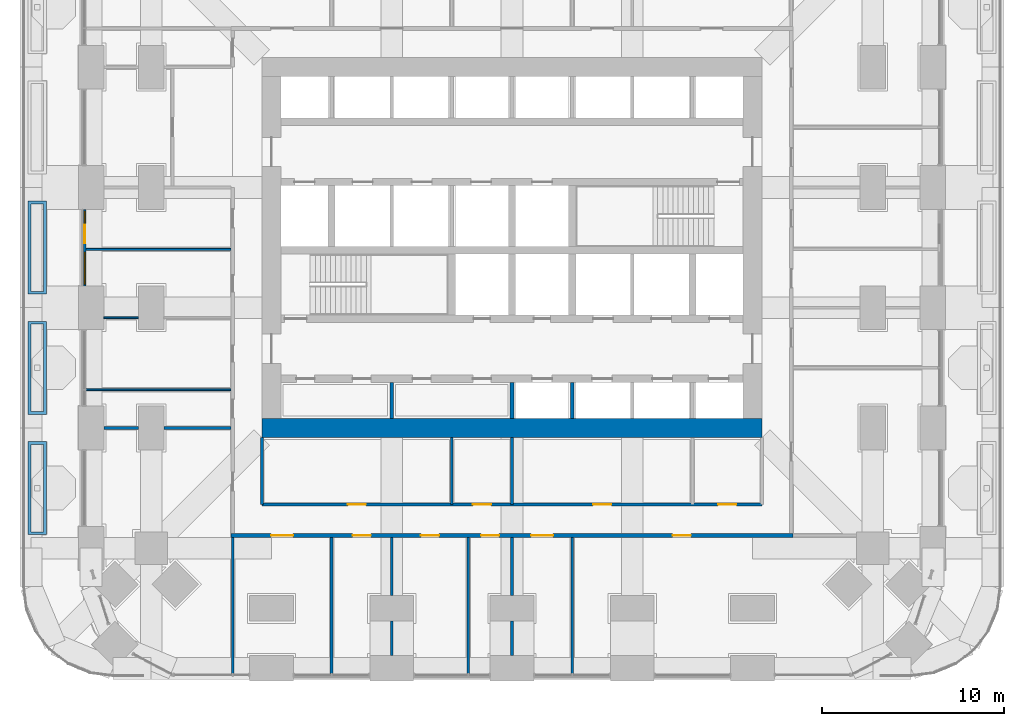
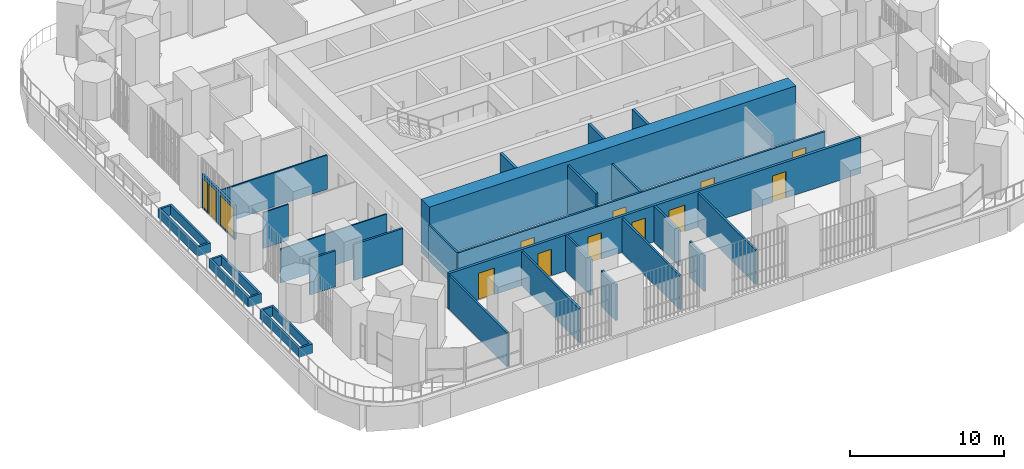
# One storey, part 17 of 27: 26 walls, 11 doors, 2 windows, 13 openings.
"""IFC4 building model written with IfcOpenShell, lengths in metres."""

import ifcopenshell
import ifcopenshell.guid

model = None  # the IFC model being written
_history = None  # IfcOwnerHistory: only IFC2X3 demands one
_inside = {}  # id of a spatial element -> (the spatial element, [elements in it])
_under = {}  # id of a project, library or spatial element -> (it, [spatial elements below it])
_declared = {}  # id of a project -> (the project, [libraries it declares])
_typed = {}  # id of a type object -> (the type object, [elements of that type])
_made_of = {}  # id of a material, layer set ... -> (it, [elements and type objects made of it])


def new_model(schema):
    """Start an empty IFC model of exactly this schema.

    Asked for "IFC4X3", IfcOpenShell would pick the latest addendum, in which some entities
    have other attributes; the version numbers below select the first issue.
    IFC2X3 requires an IfcOwnerHistory on every rooted entity: one is made here for all.
    """
    global model, _history
    if schema == "IFC4X3":
        model = ifcopenshell.file(schema_version=(4, 3, 0, 0))
    else:
        model = ifcopenshell.file(schema=schema)
    _inside.clear()
    _under.clear()
    _declared.clear()
    _typed.clear()
    _made_of.clear()
    _history = None
    if model.schema == "IFC2X3":
        org = make("IfcOrganization", Name="unknown")
        user = make(
            "IfcPersonAndOrganization",
            ThePerson=make("IfcPerson", FamilyName="unknown"),
            TheOrganization=org,
        )
        app = make(
            "IfcApplication",
            ApplicationDeveloper=org,
            Version="unknown",
            ApplicationFullName="unknown",
            ApplicationIdentifier="unknown",
        )
        _history = make(
            "IfcOwnerHistory",
            OwningUser=user,
            OwningApplication=app,
            ChangeAction="ADDED",
            CreationDate=0,
        )
    return model


def make(cls, **values):
    """One entity of the class cls with the attributes given. An attribute that is None is left unset."""
    return model.create_entity(
        cls, **{name: value for name, value in values.items() if value is not None}
    )


def rooted(cls, **values):
    """An entity with a GlobalId (a new one), such as an element, a storey or a relation."""
    return make(cls, GlobalId=ifcopenshell.guid.new(), OwnerHistory=_history, **values)


def si_unit(unit_type, name, prefix=None):
    """IfcSIUnit, for example si_unit("LENGTHUNIT", "METRE", prefix="MILLI")."""
    return make("IfcSIUnit", UnitType=unit_type, Prefix=prefix, Name=name)


def assignment(units):
    """IfcUnitAssignment: the units of a project."""
    return None if units is None else make("IfcUnitAssignment", Units=units)


def point(xyz):
    """IfcCartesianPoint."""
    return None if xyz is None else make("IfcCartesianPoint", Coordinates=xyz)


def direction(xyz):
    """IfcDirection."""
    return None if xyz is None else make("IfcDirection", DirectionRatios=xyz)


def frame(location, z_axis=None, x_axis=None):
    """IfcAxis2Placement3D, a coordinate frame: its origin and axes. An axis left out is left unset."""
    return make(
        "IfcAxis2Placement3D",
        Location=point(location),
        Axis=direction(z_axis),
        RefDirection=direction(x_axis),
    )


def frame_2d(location, x_axis=None):
    """IfcAxis2Placement2D, a coordinate frame in the plane: its origin and x axis."""
    return make(
        "IfcAxis2Placement2D", Location=point(location), RefDirection=direction(x_axis)
    )


def origin():
    """The frame at (0, 0, 0) with its axes left unset."""
    return frame((0.0, 0.0, 0.0))


def place(relative_to, where):
    """IfcLocalPlacement: puts the frame where relative to a parent placement (None: the world)."""
    return make(
        "IfcLocalPlacement", PlacementRelTo=relative_to, RelativePlacement=where
    )


def context(
    kind, dimensions, precision=None, world=None, true_north=None, identifier=None
):
    """IfcGeometricRepresentationContext, for example the 3D "Model" context."""
    return make(
        "IfcGeometricRepresentationContext",
        ContextIdentifier=identifier,
        ContextType=kind,
        CoordinateSpaceDimension=dimensions,
        Precision=precision,
        WorldCoordinateSystem=world,
        TrueNorth=true_north,
    )


def subcontext(parent, identifier, kind, view, scale=None):
    """IfcGeometricRepresentationSubContext, for example "Body" below "Model"."""
    return make(
        "IfcGeometricRepresentationSubContext",
        ContextIdentifier=identifier,
        ContextType=kind,
        ParentContext=parent,
        TargetScale=scale,
        TargetView=view,
    )


def project(units=None, contexts=None):
    """IfcProject with its units and contexts."""
    return rooted(
        "IfcProject",
        Name="project",
        RepresentationContexts=contexts,
        UnitsInContext=assignment(units),
    )


def spatial(cls, under=None, at=None, **own):
    """A site, building, storey or space (cls), placed at a placement, below another one or the project."""
    s = rooted(cls, ObjectPlacement=at, **own)
    if under is not None:
        _under.setdefault(under.id(), (under, []))[1].append(s)
    return s


def polyline(points):
    """IfcPolyline through the points."""
    return make("IfcPolyline", Points=[point(p) for p in points])


def profile(cls, at=None, kind="AREA", **sizes):
    """A parametric profile (cls). Its sizes go by their IFC names, for example OverallWidth=200.0."""
    return make(cls, ProfileType=kind, Position=at, **sizes)


def rectangle(**sizes):
    """IfcRectangleProfileDef."""
    return profile("IfcRectangleProfileDef", **sizes)


def outline(outer, holes=None, kind="AREA"):
    """IfcArbitraryClosedProfileDef: a profile drawn as a closed curve; with holes, ...WithVoids."""
    if holes is None:
        return make("IfcArbitraryClosedProfileDef", ProfileType=kind, OuterCurve=outer)
    return make(
        "IfcArbitraryProfileDefWithVoids",
        ProfileType=kind,
        OuterCurve=outer,
        InnerCurves=holes,
    )


def extrude(swept, where, along, depth):
    """IfcExtrudedAreaSolid: the profile swept, set in the frame where, extruded along a direction by depth."""
    return make(
        "IfcExtrudedAreaSolid",
        SweptArea=swept,
        Position=where,
        ExtrudedDirection=direction(along),
        Depth=depth,
    )


def shape(context_of_items, identifier, shape_type, items):
    """IfcShapeRepresentation: the items that make up one representation, for example the "Body"."""
    return make(
        "IfcShapeRepresentation",
        ContextOfItems=context_of_items,
        RepresentationIdentifier=identifier,
        RepresentationType=shape_type,
        Items=items,
    )


def material(Name=None, Category=None):
    """IfcMaterial."""
    return make("IfcMaterial", Name=Name, Category=Category)


def layer(
    of_material, thickness, ventilated=None, Name=None, Category=None, Priority=None
):
    """IfcMaterialLayer: one layer of a wall or slab, of a material (None: an air gap)."""
    return make(
        "IfcMaterialLayer",
        Material=of_material,
        LayerThickness=thickness,
        IsVentilated=ventilated,
        Name=Name,
        Category=Category,
        Priority=Priority,
    )


def layer_set(layers, Name=None):
    """IfcMaterialLayerSet."""
    return make("IfcMaterialLayerSet", MaterialLayers=layers, LayerSetName=Name)


def made_of(thing, what):
    """Note that an element or type object is made of a material, layer set ...; save() writes the relation."""
    if what is not None:
        _made_of.setdefault(what.id(), (what, []))[1].append(thing)
    return thing


def type_object(cls, material=None, **own):
    """A type object (cls), such as IfcWallType, which elements share."""
    return made_of(rooted(cls, **own), material)


def element(
    cls,
    number,
    at=None,
    inside=None,
    cuts=None,
    type_object=None,
    material=None,
    context=None,
    identifier="Body",
    shape_type=None,
    held_by="IfcProductDefinitionShape",
    body=None,
    shapes=None,
    **own,
):
    """One element of the class cls, such as IfcWall. Its Tag is "e" and its number.

    at: its placement. inside: the storey or other place that contains it. cuts: it is an
    opening in that element (IfcRelVoidsElement). A single representation is given by context,
    identifier, shape_type and body (its items); several are given by shapes. held_by: the class
    of the entity that holds the representations. save() writes the other relations.
    """
    e = rooted(cls, Tag="e%d" % number, ObjectPlacement=at, **own)
    if body is not None:
        shapes = [shape(context, identifier, shape_type, body)]
    if shapes is not None:
        e.Representation = make(held_by, Representations=shapes)
    if inside is not None:
        _inside.setdefault(inside.id(), (inside, []))[1].append(e)
    if cuts is not None:
        rooted(
            "IfcRelVoidsElement", RelatingBuildingElement=cuts, RelatedOpeningElement=e
        )
    if type_object is not None:
        _typed.setdefault(type_object.id(), (type_object, []))[1].append(e)
    return made_of(e, material)


def fill(opening, filler):
    """IfcRelFillsElement: the door or window that sits in an opening."""
    return rooted(
        "IfcRelFillsElement",
        RelatingOpeningElement=opening,
        RelatedBuildingElement=filler,
    )


def aggregate(whole, parts):
    """IfcRelAggregates: a whole, such as a stair, and the parts it consists of."""
    return rooted("IfcRelAggregates", RelatingObject=whole, RelatedObjects=parts)


def save(model, path):
    """Write the relations noted so far, then the file.

    IfcRelAggregates (storeys below a building ...), IfcRelContainedInSpatialStructure (elements
    in a storey), IfcRelDefinesByType, IfcRelAssociatesMaterial and IfcRelDeclares: one each for
    every whole, place, type object, material and project.
    """
    for whole, parts in _under.values():
        aggregate(whole, parts)
    for where, things in _inside.values():
        rooted(
            "IfcRelContainedInSpatialStructure",
            RelatedElements=things,
            RelatingStructure=where,
        )
    for kind, things in _typed.values():
        rooted("IfcRelDefinesByType", RelatedObjects=things, RelatingType=kind)
    for what, things in _made_of.values():
        rooted("IfcRelAssociatesMaterial", RelatedObjects=things, RelatingMaterial=what)
    for by, libraries in _declared.values():
        rooted("IfcRelDeclares", RelatingContext=by, RelatedDefinitions=libraries)
    model.write(path)


model = new_model("IFC4")

# Units and contexts
model_context = context("Model", 3, precision=1e-05, world=origin(), true_north=direction((0.0, 1.0)))
body_context = subcontext(model_context, "Body", "Model", "MODEL_VIEW")
ifc_project = project(units=[si_unit("LENGTHUNIT", "METRE"), si_unit("AREAUNIT", "SQUARE_METRE"), si_unit("VOLUMEUNIT", "CUBIC_METRE"), si_unit("PLANEANGLEUNIT", "RADIAN"), si_unit("MASSUNIT", "GRAM", prefix="KILO")], contexts=[model_context])

# Site, building, storey
site_placement = place(None, origin())
site = spatial("IfcSite", under=ifc_project, at=site_placement, CompositionType="ELEMENT")
building_placement = place(site_placement, origin())
building = spatial("IfcBuilding", under=site, at=building_placement, Name="Cobogo Forest Laboratory Tower", CompositionType="ELEMENT")
storey_placement = place(building_placement, frame((0.0, 0.0, 82.199951171875)))
storey = spatial("IfcBuildingStorey", under=building, at=storey_placement, Name="L18", CompositionType="ELEMENT", Elevation=82.199951171875)

# Wall
ifc_material_1 = material(Name="Concrete HA-50 (C50/60)", Category="concrete")
ifc_layer_1 = layer(ifc_material_1, 1.050048828125)
ifc_layer_set_1 = layer_set([ifc_layer_1], Name="CW1050 core outer wall 1050")
wall_type_1 = type_object("IfcWallType", Name="CW1050 core outer wall 1050", PredefinedType="SHEAR", material=ifc_layer_set_1)
wall_1_placement = place(storey_placement, frame((12.675048828125, 13.199951171875, 0.0), z_axis=(0.0, 0.0, 1.0), x_axis=(1.0, 0.0, 0.0)))
element("IfcWall", 1, at=wall_1_placement, inside=storey, type_object=wall_type_1, Name="Core wall CO-S L18", PredefinedType="SHEAR", context=body_context, shape_type="SweptSolid", body=[
    extrude(rectangle(XDim=27.449951171875, YDim=1.050048828125, at=frame_2d((13.72509765625, 0.0))), origin(), (0.0, 0.0, 1.0), 4.199951171875),
])

# Wall, openings, door, windows
ifc_material_2 = material(Name="Aluminium framed glazed screen", Category="aluminium")
ifc_layer_2 = layer(ifc_material_2, 0.14990234375)
ifc_layer_set_2 = layer_set([ifc_layer_2], Name="GS1 glazed door screen 150")
wall_type_2 = type_object("IfcWallType", Name="GS1 glazed door screen 150", PredefinedType="SOLIDWALL", material=ifc_layer_set_2)
wall_2_placement = place(storey_placement, frame((2.949951171875, 25.199951171875, 0.0), z_axis=(0.0, 0.0, 1.0), x_axis=(0.0, -1.0, 0.0)))
wall_2 = element("IfcWall", 2, at=wall_2_placement, inside=storey, type_object=wall_type_2, Name="Door screen TER-W L18", PredefinedType="SOLIDWALL", context=body_context, shape_type="SweptSolid", body=[
    extrude(rectangle(XDim=4.199951171875, YDim=0.14990234375, at=frame_2d((2.10009765625, 0.0))), origin(), (0.0, 0.0, 1.0), 2.699951171875),
])
opening_1_placement = place(wall_2_placement, frame((0.85009765625, 0.0, 0.0)))
opening_1 = element("IfcOpeningElement", 3, at=opening_1_placement, cuts=wall_2, Name="Opening L18-D27", PredefinedType="OPENING", context=body_context, shape_type="SweptSolid", body=[
    extrude(rectangle(XDim=1.0, YDim=2.39990234375, at=frame_2d((0.5, 1.199951171875))), frame((0.0, 0.0849609375, 0.0), z_axis=(0.0, -1.0, 0.0), x_axis=(1.0, 0.0, 0.0)), (0.0, 0.0, 1.0), 0.169921875),
])
opening_2_placement = place(wall_2_placement, frame((0.10009765625, 0.0, 0.10009765625)))
opening_2 = element("IfcOpeningElement", 4, at=opening_2_placement, cuts=wall_2, Name="Opening L18-W03", PredefinedType="OPENING", context=body_context, shape_type="SweptSolid", body=[
    extrude(rectangle(XDim=0.64990234375, YDim=2.300048828125, at=frame_2d((0.324951171875, 1.14990234375))), frame((0.0, 0.0849609375, 0.0), z_axis=(0.0, -1.0, 0.0), x_axis=(1.0, 0.0, 0.0)), (0.0, 0.0, 1.0), 0.169921875),
])
opening_3_placement = place(wall_2_placement, frame((2.35009765625, 0.0, 0.10009765625)))
opening_3 = element("IfcOpeningElement", 5, at=opening_3_placement, cuts=wall_2, Name="Opening L18-W01", PredefinedType="OPENING", context=body_context, shape_type="SweptSolid", body=[
    extrude(rectangle(XDim=1.75, YDim=2.300048828125, at=frame_2d((0.875, 1.14990234375))), frame((0.0, 0.0849609375, 0.0), z_axis=(0.0, -1.0, 0.0), x_axis=(1.0, 0.0, 0.0)), (0.0, 0.0, 1.0), 0.169921875),
])
ifc_material_3 = material(Name="Aluminium glazed door", Category="aluminium")
door_type_1 = type_object("IfcDoorType", Name="DT1 terrace door 1000 glazed", OperationType="SINGLE_SWING_RIGHT", PredefinedType="DOOR", material=ifc_material_3)
door_1_placement = place(opening_1_placement, origin())
door_1 = element("IfcDoor", 6, at=door_1_placement, inside=storey, type_object=door_type_1, Name="Door L18-TER-W", OperationType="SINGLE_SWING_LEFT", OverallHeight=2.39990234375, OverallWidth=1.0, PredefinedType="DOOR", context=body_context, shape_type="SweptSolid", body=[
    extrude(rectangle(XDim=1.0, YDim=2.39990234375, at=frame_2d((0.5, 1.199951171875))), frame((0.0, 0.02490234375, 0.0), z_axis=(0.0, -1.0, 0.0), x_axis=(1.0, 0.0, 0.0)), (0.0, 0.0, 1.0), 0.050048828125),
])
fill(opening_1, door_1)
ifc_material_4 = material(Name="Aluminium framed glazing", Category="aluminium")
window_type_1 = type_object("IfcWindowType", Name="WG11 fixed glazed light 1750x2300", PartitioningType="SINGLE_PANEL", PredefinedType="WINDOW", material=ifc_material_4)
window_1_placement = place(opening_3_placement, origin())
window_1 = element("IfcWindow", 7, at=window_1_placement, inside=storey, type_object=window_type_1, Name="Window L18-TER-W-2", OverallHeight=2.300048828125, OverallWidth=1.75, PartitioningType="SINGLE_PANEL", PredefinedType="WINDOW", context=body_context, shape_type="SweptSolid", body=[
    extrude(rectangle(XDim=1.75, YDim=2.300048828125, at=frame_2d((0.875, 1.14990234375))), frame((0.0, 0.030029296875, 0.0), z_axis=(0.0, -1.0, 0.0), x_axis=(1.0, 0.0, 0.0)), (0.0, 0.0, 1.0), 0.06005859375),
])
fill(opening_3, window_1)
window_type_2 = type_object("IfcWindowType", Name="WG12 fixed glazed light 650x2300", PartitioningType="SINGLE_PANEL", PredefinedType="WINDOW", material=ifc_material_4)
window_2_placement = place(opening_2_placement, origin())
window_2 = element("IfcWindow", 8, at=window_2_placement, inside=storey, type_object=window_type_2, Name="Window L18-TER-W-1", OverallHeight=2.300048828125, OverallWidth=0.64990234375, PartitioningType="SINGLE_PANEL", PredefinedType="WINDOW", context=body_context, shape_type="SweptSolid", body=[
    extrude(rectangle(XDim=0.64990234375, YDim=2.300048828125, at=frame_2d((0.324951171875, 1.14990234375))), frame((0.0, 0.030029296875, 0.0), z_axis=(0.0, -1.0, 0.0), x_axis=(1.0, 0.0, 0.0)), (0.0, 0.0, 1.0), 0.06005859375),
])
fill(opening_2, window_2)

# Wall, openings, doors
ifc_material_5 = material(Name="Gypsum board on steel studs", Category="steel")
ifc_layer_3 = layer(ifc_material_5, 0.14990234375)
ifc_layer_set_3 = layer_set([ifc_layer_3], Name="PT1 laboratory partition 150")
wall_type_3 = type_object("IfcWallType", Name="PT1 laboratory partition 150", PredefinedType="PARTITIONING", material=ifc_layer_set_3)
wall_3_placement = place(storey_placement, frame((12.675048828125, 9.0, 0.0), z_axis=(0.0, 0.0, 1.0), x_axis=(1.0, 0.0, 0.0)))
wall_3 = element("IfcWall", 9, at=wall_3_placement, inside=storey, type_object=wall_type_3, Name="Partition CSTRIP-S L18", PredefinedType="PARTITIONING", context=body_context, shape_type="SweptSolid", body=[
    extrude(rectangle(XDim=27.449951171875, YDim=0.14990234375, at=frame_2d((13.72509765625, 0.0))), origin(), (0.0, 0.0, 1.0), 2.85009765625),
])
opening_4_placement = place(wall_3_placement, frame((4.71240234375, 0.0, 0.0)))
opening_4 = element("IfcOpeningElement", 10, at=opening_4_placement, cuts=wall_3, Name="Opening L18-D07", PredefinedType="OPENING", context=body_context, shape_type="SweptSolid", body=[
    extrude(rectangle(XDim=1.0, YDim=2.10009765625, at=frame_2d((0.5, 1.050048828125))), frame((0.0, 0.0849609375, 0.0), z_axis=(0.0, -1.0, 0.0), x_axis=(1.0, 0.0, 0.0)), (0.0, 0.0, 1.0), 0.169921875),
])
opening_5_placement = place(wall_3_placement, frame((11.574951171875, 0.0, 0.0)))
opening_5 = element("IfcOpeningElement", 11, at=opening_5_placement, cuts=wall_3, Name="Opening L18-D08", PredefinedType="OPENING", context=body_context, shape_type="SweptSolid", body=[
    extrude(rectangle(XDim=1.0, YDim=2.10009765625, at=frame_2d((0.5, 1.050048828125))), frame((0.0, 0.0849609375, 0.0), z_axis=(0.0, -1.0, 0.0), x_axis=(1.0, 0.0, 0.0)), (0.0, 0.0, 1.0), 0.169921875),
])
opening_6_placement = place(wall_3_placement, frame((18.175048828125, 0.0, 0.0)))
opening_6 = element("IfcOpeningElement", 12, at=opening_6_placement, cuts=wall_3, Name="Opening L18-D09", PredefinedType="OPENING", context=body_context, shape_type="SweptSolid", body=[
    extrude(rectangle(XDim=1.0, YDim=2.10009765625, at=frame_2d((0.5, 1.050048828125))), frame((0.0, 0.0849609375, 0.0), z_axis=(0.0, -1.0, 0.0), x_axis=(1.0, 0.0, 0.0)), (0.0, 0.0, 1.0), 0.169921875),
])
opening_7_placement = place(wall_3_placement, frame((25.03759765625, 0.0, 0.0)))
opening_7 = element("IfcOpeningElement", 13, at=opening_7_placement, cuts=wall_3, Name="Opening L18-D10", PredefinedType="OPENING", context=body_context, shape_type="SweptSolid", body=[
    extrude(rectangle(XDim=1.0, YDim=2.10009765625, at=frame_2d((0.5, 1.050048828125))), frame((0.0, 0.0849609375, 0.0), z_axis=(0.0, -1.0, 0.0), x_axis=(1.0, 0.0, 0.0)), (0.0, 0.0, 1.0), 0.169921875),
])
ifc_material_6 = material(Name="Timber fire door", Category="wood")
door_type_2 = type_object("IfcDoorType", Name="FD2 fire door 1000 EI2 30", OperationType="SINGLE_SWING_LEFT", PredefinedType="DOOR", material=ifc_material_6)
door_2_placement = place(opening_4_placement, origin())
door_2 = element("IfcDoor", 14, at=door_2_placement, inside=storey, type_object=door_type_2, Name="Door L18-CSS1", OperationType="SINGLE_SWING_LEFT", OverallHeight=2.10009765625, OverallWidth=1.0, PredefinedType="DOOR", context=body_context, shape_type="SweptSolid", body=[
    extrude(rectangle(XDim=1.0, YDim=2.10009765625, at=frame_2d((0.5, 1.050048828125))), frame((0.0, 0.02490234375, 0.0), z_axis=(0.0, -1.0, 0.0), x_axis=(1.0, 0.0, 0.0)), (0.0, 0.0, 1.0), 0.050048828125),
])
fill(opening_4, door_2)
door_3_placement = place(opening_5_placement, origin())
door_3 = element("IfcDoor", 15, at=door_3_placement, inside=storey, type_object=door_type_2, Name="Door L18-CSS2", OperationType="SINGLE_SWING_LEFT", OverallHeight=2.10009765625, OverallWidth=1.0, PredefinedType="DOOR", context=body_context, shape_type="SweptSolid", body=[
    extrude(rectangle(XDim=1.0, YDim=2.10009765625, at=frame_2d((0.5, 1.050048828125))), frame((0.0, 0.02490234375, 0.0), z_axis=(0.0, -1.0, 0.0), x_axis=(1.0, 0.0, 0.0)), (0.0, 0.0, 1.0), 0.050048828125),
])
fill(opening_5, door_3)
door_4_placement = place(opening_6_placement, origin())
door_4 = element("IfcDoor", 16, at=door_4_placement, inside=storey, type_object=door_type_2, Name="Door L18-CSS3", OperationType="SINGLE_SWING_RIGHT", OverallHeight=2.10009765625, OverallWidth=1.0, PredefinedType="DOOR", context=body_context, shape_type="SweptSolid", body=[
    extrude(rectangle(XDim=1.0, YDim=2.10009765625, at=frame_2d((0.5, 1.050048828125))), frame((0.0, 0.02490234375, 0.0), z_axis=(0.0, -1.0, 0.0), x_axis=(1.0, 0.0, 0.0)), (0.0, 0.0, 1.0), 0.050048828125),
])
fill(opening_6, door_4)
door_5_placement = place(opening_7_placement, origin())
door_5 = element("IfcDoor", 17, at=door_5_placement, inside=storey, type_object=door_type_2, Name="Door L18-CSS4", OperationType="SINGLE_SWING_RIGHT", OverallHeight=2.10009765625, OverallWidth=1.0, PredefinedType="DOOR", context=body_context, shape_type="SweptSolid", body=[
    extrude(rectangle(XDim=1.0, YDim=2.10009765625, at=frame_2d((0.5, 1.050048828125))), frame((0.0, 0.02490234375, 0.0), z_axis=(0.0, -1.0, 0.0), x_axis=(1.0, 0.0, 0.0)), (0.0, 0.0, 1.0), 0.050048828125),
])
fill(opening_7, door_5)

# Walls
wall_4_placement = place(storey_placement, frame((12.675048828125, 12.675048828125, 0.0), z_axis=(0.0, 0.0, 1.0), x_axis=(0.0, -1.0, 0.0)))
element("IfcWall", 18, at=wall_4_placement, inside=storey, type_object=wall_type_3, Name="Partition CSTRIP-SW L18", PredefinedType="PARTITIONING", context=body_context, shape_type="SweptSolid", body=[
    extrude(rectangle(XDim=3.675048828125, YDim=0.14990234375, at=frame_2d((1.83740234375, 0.0))), origin(), (0.0, 0.0, 1.0), 2.85009765625),
])
wall_5_placement = place(storey_placement, frame((23.10009765625, 12.675048828125, 0.0), z_axis=(0.0, 0.0, 1.0), x_axis=(0.0, -1.0, 0.0)))
element("IfcWall", 19, at=wall_5_placement, inside=storey, type_object=wall_type_3, Name="Partition CSTRIP-S23.1 L18", PredefinedType="PARTITIONING", context=body_context, shape_type="SweptSolid", body=[
    extrude(rectangle(XDim=3.675048828125, YDim=0.14990234375, at=frame_2d((1.83740234375, 0.0))), origin(), (0.0, 0.0, 1.0), 3.900146484375),
])
wall_6_placement = place(storey_placement, frame((26.39990234375, 12.675048828125, 0.0), z_axis=(0.0, 0.0, 1.0), x_axis=(0.0, -1.0, 0.0)))
element("IfcWall", 20, at=wall_6_placement, inside=storey, type_object=wall_type_3, Name="Partition CSTRIP-S26.4 L18", PredefinedType="PARTITIONING", context=body_context, shape_type="SweptSolid", body=[
    extrude(rectangle(XDim=3.675048828125, YDim=0.14990234375, at=frame_2d((1.83740234375, 0.0))), origin(), (0.0, 0.0, 1.0), 2.85009765625),
])
for number, where, z_axis, x_axis, name in (
    (21, (11.074951171875, -0.27001953125, 0.0), (0.0, 0.0, 1.0), (0.0, 1.0, 0.0), "Partition PW-SW L18"),
    (22, (24.0, -0.27001953125, 0.0), (0.0, 0.0, 1.0), (0.0, 1.0, 0.0), "Partition SVC-S1-1 L18"),
):
    element("IfcWall", number, at=place(storey_placement, frame(where, z_axis=z_axis, x_axis=x_axis)), inside=storey, type_object=wall_type_3, Name=name, PredefinedType="PARTITIONING", context=body_context, shape_type="SweptSolid", body=[
        extrude(rectangle(XDim=7.469970703125, YDim=0.14990234375, at=frame_2d((3.73486328125, 0.0))), origin(), (0.0, 0.0, 1.0), 2.699951171875),
    ])
wall_7_placement = place(storey_placement, frame((26.39990234375, 0.699951171875, 0.0), z_axis=(0.0, 0.0, 1.0), x_axis=(0.0, 1.0, 0.0)))
element("IfcWall", 23, at=wall_7_placement, inside=storey, type_object=wall_type_3, Name="Partition SVC-S2-1 L18", PredefinedType="PARTITIONING", context=body_context, shape_type="SweptSolid", body=[
    extrude(rectangle(XDim=1.900146484375, YDim=0.14990234375, at=frame_2d((0.9501953125, 0.0))), origin(), (0.0, 0.0, 1.0), 2.85009765625),
])
wall_8_placement = place(storey_placement, frame((26.39990234375, 4.0, 0.0), z_axis=(0.0, 0.0, 1.0), x_axis=(0.0, 1.0, 0.0)))
element("IfcWall", 24, at=wall_8_placement, inside=storey, type_object=wall_type_3, Name="Partition SVC-S2-2 L18", PredefinedType="PARTITIONING", context=body_context, shape_type="SweptSolid", body=[
    extrude(rectangle(XDim=3.199951171875, YDim=0.14990234375, at=frame_2d((1.60009765625, 0.0))), origin(), (0.0, 0.0, 1.0), 2.85009765625),
])
wall_9_placement = place(storey_placement, frame((16.5, -0.27001953125, 0.0), z_axis=(0.0, 0.0, 1.0), x_axis=(0.0, 1.0, 0.0)))
element("IfcWall", 25, at=wall_9_placement, inside=storey, type_object=wall_type_3, Name="Partition CUT-S16.5-1 L18", PredefinedType="PARTITIONING", context=body_context, shape_type="SweptSolid", body=[
    extrude(rectangle(XDim=7.469970703125, YDim=0.14990234375, at=frame_2d((3.73486328125, 0.0))), origin(), (0.0, 0.0, 1.0), 2.699951171875),
])
wall_10_placement = place(storey_placement, frame((19.800048828125, 0.699951171875, 0.0), z_axis=(0.0, 0.0, 1.0), x_axis=(0.0, 1.0, 0.0)))
element("IfcWall", 26, at=wall_10_placement, inside=storey, type_object=wall_type_3, Name="Partition CUT-S19.8-1 L18", PredefinedType="PARTITIONING", context=body_context, shape_type="SweptSolid", body=[
    extrude(rectangle(XDim=1.900146484375, YDim=0.14990234375, at=frame_2d((0.9501953125, 0.0))), origin(), (0.0, 0.0, 1.0), 2.85009765625),
])
wall_11_placement = place(storey_placement, frame((19.800048828125, 4.0, 0.0), z_axis=(0.0, 0.0, 1.0), x_axis=(0.0, 1.0, 0.0)))
element("IfcWall", 27, at=wall_11_placement, inside=storey, type_object=wall_type_3, Name="Partition CUT-S19.8-2 L18", PredefinedType="PARTITIONING", context=body_context, shape_type="SweptSolid", body=[
    extrude(rectangle(XDim=3.199951171875, YDim=0.14990234375, at=frame_2d((1.60009765625, 0.0))), origin(), (0.0, 0.0, 1.0), 2.85009765625),
])
wall_12_placement = place(storey_placement, frame((29.699951171875, -0.27001953125, 0.0), z_axis=(0.0, 0.0, 1.0), x_axis=(0.0, 1.0, 0.0)))
element("IfcWall", 28, at=wall_12_placement, inside=storey, type_object=wall_type_3, Name="Partition CUT-S29.7-1 L18", PredefinedType="PARTITIONING", context=body_context, shape_type="SweptSolid", body=[
    extrude(rectangle(XDim=7.469970703125, YDim=0.14990234375, at=frame_2d((3.73486328125, 0.0))), origin(), (0.0, 0.0, 1.0), 2.699951171875),
])
wall_13_placement = place(storey_placement, frame((4.0, 13.199951171875, 0.0), z_axis=(0.0, 0.0, 1.0), x_axis=(1.0, 0.0, 0.0)))
element("IfcWall", 29, at=wall_13_placement, inside=storey, type_object=wall_type_3, Name="Partition CUT-W13.2-1 L18", PredefinedType="PARTITIONING", context=body_context, shape_type="SweptSolid", body=[
    extrude(rectangle(XDim=1.89990234375, YDim=0.14990234375, at=frame_2d((0.949951171875, 0.0))), origin(), (0.0, 0.0, 1.0), 2.85009765625),
])
wall_14_placement = place(storey_placement, frame((7.300048828125, 13.199951171875, 0.0), z_axis=(0.0, 0.0, 1.0), x_axis=(1.0, 0.0, 0.0)))
element("IfcWall", 30, at=wall_14_placement, inside=storey, type_object=wall_type_3, Name="Partition CUT-W13.2-2 L18", PredefinedType="PARTITIONING", context=body_context, shape_type="SweptSolid", body=[
    extrude(rectangle(XDim=3.675048828125, YDim=0.14990234375, at=frame_2d((1.83740234375, 0.0))), origin(), (0.0, 0.0, 1.0), 2.85009765625),
])

# Wall, openings, doors
ifc_layer_4 = layer(ifc_material_5, 0.199951171875)
ifc_layer_set_4 = layer_set([ifc_layer_4], Name="PT2 fire-rated corridor partition 200")
wall_type_4 = type_object("IfcWallType", Name="PT2 fire-rated corridor partition 200", PredefinedType="PARTITIONING", material=ifc_layer_set_4)
wall_15_placement = place(storey_placement, frame((10.97509765625, 7.300048828125, 0.0), z_axis=(0.0, 0.0, 1.0), x_axis=(1.0, 0.0, 0.0)))
wall_15 = element("IfcWall", 31, at=wall_15_placement, inside=storey, type_object=wall_type_4, Name="Partition CORR-S L18", PredefinedType="PARTITIONING", context=body_context, shape_type="SweptSolid", body=[
    extrude(rectangle(XDim=30.849853515625, YDim=0.199951171875, at=frame_2d((15.4248046875, 0.0))), origin(), (0.0, 0.0, 1.0), 2.85009765625),
])
opening_8_placement = place(wall_15_placement, frame((2.21240234375, 0.0, 0.0)))
opening_8 = element("IfcOpeningElement", 32, at=opening_8_placement, cuts=wall_15, Name="Opening L18-D01", PredefinedType="OPENING", context=body_context, shape_type="SweptSolid", body=[
    extrude(rectangle(XDim=1.199951171875, YDim=2.10009765625, at=frame_2d((0.60009765625, 1.050048828125))), frame((0.0, 0.10986328125, 0.0), z_axis=(0.0, -1.0, 0.0), x_axis=(1.0, 0.0, 0.0)), (0.0, 0.0, 1.0), 0.219970703125),
])
opening_9_placement = place(wall_15_placement, frame((6.675048828125, 0.0, 0.0)))
opening_9 = element("IfcOpeningElement", 33, at=opening_9_placement, cuts=wall_15, Name="Opening L18-D02", PredefinedType="OPENING", context=body_context, shape_type="SweptSolid", body=[
    extrude(rectangle(XDim=1.0, YDim=2.10009765625, at=frame_2d((0.5, 1.050048828125))), frame((0.0, 0.10986328125, 0.0), z_axis=(0.0, -1.0, 0.0), x_axis=(1.0, 0.0, 0.0)), (0.0, 0.0, 1.0), 0.219970703125),
])
opening_10_placement = place(wall_15_placement, frame((10.425048828125, 0.0, 0.0)))
opening_10 = element("IfcOpeningElement", 34, at=opening_10_placement, cuts=wall_15, Name="Opening L18-D03", PredefinedType="OPENING", context=body_context, shape_type="SweptSolid", body=[
    extrude(rectangle(XDim=1.0, YDim=2.10009765625, at=frame_2d((0.5, 1.050048828125))), frame((0.0, 0.10986328125, 0.0), z_axis=(0.0, -1.0, 0.0), x_axis=(1.0, 0.0, 0.0)), (0.0, 0.0, 1.0), 0.219970703125),
])
opening_11_placement = place(wall_15_placement, frame((13.72509765625, 0.0, 0.0)))
opening_11 = element("IfcOpeningElement", 35, at=opening_11_placement, cuts=wall_15, Name="Opening L18-D04", PredefinedType="OPENING", context=body_context, shape_type="SweptSolid", body=[
    extrude(rectangle(XDim=1.0, YDim=2.10009765625, at=frame_2d((0.5, 1.050048828125))), frame((0.0, 0.10986328125, 0.0), z_axis=(0.0, -1.0, 0.0), x_axis=(1.0, 0.0, 0.0)), (0.0, 0.0, 1.0), 0.219970703125),
])
opening_12_placement = place(wall_15_placement, frame((16.47509765625, 0.0, 0.0)))
opening_12 = element("IfcOpeningElement", 36, at=opening_12_placement, cuts=wall_15, Name="Opening L18-D05", PredefinedType="OPENING", context=body_context, shape_type="SweptSolid", body=[
    extrude(rectangle(XDim=1.199951171875, YDim=2.10009765625, at=frame_2d((0.60009765625, 1.050048828125))), frame((0.0, 0.10986328125, 0.0), z_axis=(0.0, -1.0, 0.0), x_axis=(1.0, 0.0, 0.0)), (0.0, 0.0, 1.0), 0.219970703125),
])
opening_13_placement = place(wall_15_placement, frame((24.237548828125, 0.0, 0.0)))
opening_13 = element("IfcOpeningElement", 37, at=opening_13_placement, cuts=wall_15, Name="Opening L18-D06", PredefinedType="OPENING", context=body_context, shape_type="SweptSolid", body=[
    extrude(rectangle(XDim=1.0, YDim=2.10009765625, at=frame_2d((0.5, 1.050048828125))), frame((0.0, 0.10986328125, 0.0), z_axis=(0.0, -1.0, 0.0), x_axis=(1.0, 0.0, 0.0)), (0.0, 0.0, 1.0), 0.219970703125),
])
ifc_material_7 = material(Name="Timber door", Category="wood")
door_type_3 = type_object("IfcDoorType", Name="D2 laboratory door 1200 unequal pair", OperationType="DOUBLE_DOOR_SINGLE_SWING", PredefinedType="DOOR", material=ifc_material_7)
door_6_placement = place(opening_8_placement, origin())
door_6 = element("IfcDoor", 38, at=door_6_placement, inside=storey, type_object=door_type_3, Name="Door L18-S1", OperationType="DOUBLE_DOOR_SINGLE_SWING", OverallHeight=2.10009765625, OverallWidth=1.199951171875, PredefinedType="DOOR", context=body_context, shape_type="SweptSolid", body=[
    extrude(rectangle(XDim=1.199951171875, YDim=2.10009765625, at=frame_2d((0.60009765625, 1.050048828125))), frame((0.0, 0.02490234375, 0.0), z_axis=(0.0, -1.0, 0.0), x_axis=(1.0, 0.0, 0.0)), (0.0, 0.0, 1.0), 0.050048828125),
])
fill(opening_8, door_6)
door_7_placement = place(opening_12_placement, origin())
door_7 = element("IfcDoor", 39, at=door_7_placement, inside=storey, type_object=door_type_3, Name="Door L18-S3", OperationType="DOUBLE_DOOR_SINGLE_SWING", OverallHeight=2.10009765625, OverallWidth=1.199951171875, PredefinedType="DOOR", context=body_context, shape_type="SweptSolid", body=[
    extrude(rectangle(XDim=1.199951171875, YDim=2.10009765625, at=frame_2d((0.60009765625, 1.050048828125))), frame((0.0, 0.02490234375, 0.0), z_axis=(0.0, -1.0, 0.0), x_axis=(1.0, 0.0, 0.0)), (0.0, 0.0, 1.0), 0.050048828125),
])
fill(opening_12, door_7)
door_8_placement = place(opening_9_placement, origin())
door_8 = element("IfcDoor", 40, at=door_8_placement, inside=storey, type_object=door_type_2, Name="Door L18-S2", OperationType="SINGLE_SWING_LEFT", OverallHeight=2.10009765625, OverallWidth=1.0, PredefinedType="DOOR", context=body_context, shape_type="SweptSolid", body=[
    extrude(rectangle(XDim=1.0, YDim=2.10009765625, at=frame_2d((0.5, 1.050048828125))), frame((0.0, 0.02490234375, 0.0), z_axis=(0.0, -1.0, 0.0), x_axis=(1.0, 0.0, 0.0)), (0.0, 0.0, 1.0), 0.050048828125),
])
fill(opening_9, door_8)
door_9_placement = place(opening_10_placement, origin())
door_9 = element("IfcDoor", 41, at=door_9_placement, inside=storey, type_object=door_type_2, Name="Door L18-MTG", OperationType="SINGLE_SWING_LEFT", OverallHeight=2.10009765625, OverallWidth=1.0, PredefinedType="DOOR", context=body_context, shape_type="SweptSolid", body=[
    extrude(rectangle(XDim=1.0, YDim=2.10009765625, at=frame_2d((0.5, 1.050048828125))), frame((0.0, 0.02490234375, 0.0), z_axis=(0.0, -1.0, 0.0), x_axis=(1.0, 0.0, 0.0)), (0.0, 0.0, 1.0), 0.050048828125),
])
fill(opening_10, door_9)
door_10_placement = place(opening_11_placement, origin())
door_10 = element("IfcDoor", 42, at=door_10_placement, inside=storey, type_object=door_type_2, Name="Door L18-PAN", OperationType="SINGLE_SWING_LEFT", OverallHeight=2.10009765625, OverallWidth=1.0, PredefinedType="DOOR", context=body_context, shape_type="SweptSolid", body=[
    extrude(rectangle(XDim=1.0, YDim=2.10009765625, at=frame_2d((0.5, 1.050048828125))), frame((0.0, 0.02490234375, 0.0), z_axis=(0.0, -1.0, 0.0), x_axis=(1.0, 0.0, 0.0)), (0.0, 0.0, 1.0), 0.050048828125),
])
fill(opening_11, door_10)
door_11_placement = place(opening_13_placement, origin())
door_11 = element("IfcDoor", 43, at=door_11_placement, inside=storey, type_object=door_type_2, Name="Door L18-S4", OperationType="SINGLE_SWING_RIGHT", OverallHeight=2.10009765625, OverallWidth=1.0, PredefinedType="DOOR", context=body_context, shape_type="SweptSolid", body=[
    extrude(rectangle(XDim=1.0, YDim=2.10009765625, at=frame_2d((0.5, 1.050048828125))), frame((0.0, 0.02490234375, 0.0), z_axis=(0.0, -1.0, 0.0), x_axis=(1.0, 0.0, 0.0)), (0.0, 0.0, 1.0), 0.050048828125),
])
fill(opening_13, door_11)

# Walls
ifc_layer_5 = layer(ifc_material_5, 0.10009765625)
ifc_layer_set_5 = layer_set([ifc_layer_5], Name="PT3 toilet partition 100")
wall_type_5 = type_object("IfcWallType", Name="PT3 toilet partition 100", PredefinedType="PARTITIONING", material=ifc_layer_set_5)
wall_16_placement = place(storey_placement, frame((3.030029296875, 15.300048828125, 0.0), z_axis=(0.0, 0.0, 1.0), x_axis=(1.0, 0.0, 0.0)))
element("IfcWall", 44, at=wall_16_placement, inside=storey, type_object=wall_type_5, Name="Partition SVC-W1-1 L18", PredefinedType="PARTITIONING", context=body_context, shape_type="SweptSolid", body=[
    extrude(rectangle(XDim=7.945068359375, YDim=0.10009765625, at=frame_2d((3.97265625, 0.0))), origin(), (0.0, 0.0, 1.0), 2.699951171875),
])
wall_17_placement = place(storey_placement, frame((4.0, 19.25, 0.0), z_axis=(0.0, 0.0, 1.0), x_axis=(1.0, 0.0, 0.0)))
element("IfcWall", 45, at=wall_17_placement, inside=storey, type_object=wall_type_5, Name="Partition SVC-W2-1 L18", PredefinedType="PARTITIONING", context=body_context, shape_type="SweptSolid", body=[
    extrude(rectangle(XDim=1.89990234375, YDim=0.10009765625, at=frame_2d((0.949951171875, 0.0))), origin(), (0.0, 0.0, 1.0), 2.85009765625),
])
wall_18_placement = place(storey_placement, frame((3.030029296875, 23.0, 0.0), z_axis=(0.0, 0.0, 1.0), x_axis=(1.0, 0.0, 0.0)))
element("IfcWall", 46, at=wall_18_placement, inside=storey, type_object=wall_type_5, Name="Partition SVC-W3-1 L18", PredefinedType="PARTITIONING", context=body_context, shape_type="SweptSolid", body=[
    extrude(rectangle(XDim=7.945068359375, YDim=0.10009765625, at=frame_2d((3.97265625, 0.0))), origin(), (0.0, 0.0, 1.0), 2.699951171875),
])
ifc_material_8 = material(Name="Concrete HA-40 (C40/50)", Category="concrete")
ifc_layer_6 = layer(ifc_material_8, 0.14990234375)
ifc_layer_set_6 = layer_set([ifc_layer_6], Name="Planter box 1000x750")
wall_type_6 = type_object("IfcWallType", Name="Planter box 1000x750", PredefinedType="USERDEFINED", material=ifc_layer_set_6)
wall_19_placement = place(storey_placement, origin())
element("IfcWall", 47, at=wall_19_placement, inside=storey, type_object=wall_type_6, Name="Terrace planter TER-W-1 L18", ObjectType="PLANTER", PredefinedType="USERDEFINED", context=body_context, shape_type="SweptSolid", body=[
    extrude(outline(polyline([(-0.14990234375, 7.35009765625), (0.85009765625, 7.35009765625), (0.85009765625, 12.449951171875), (-0.14990234375, 12.449951171875), (-0.14990234375, 7.35009765625)]), holes=[polyline([(0.0, 7.5), (0.699951171875, 7.5), (0.699951171875, 12.300048828125), (0.0, 12.300048828125), (0.0, 7.5)])]), origin(), (0.0, 0.0, 1.0), 0.75),
])
wall_20_placement = place(storey_placement, origin())
element("IfcWall", 48, at=wall_20_placement, inside=storey, type_object=wall_type_6, Name="Terrace planter TER-W-2 L18", ObjectType="PLANTER", PredefinedType="USERDEFINED", context=body_context, shape_type="SweptSolid", body=[
    extrude(outline(polyline([(-0.14990234375, 13.949951171875), (0.85009765625, 13.949951171875), (0.85009765625, 19.050048828125), (-0.14990234375, 19.050048828125), (-0.14990234375, 13.949951171875)]), holes=[polyline([(0.0, 14.10009765625), (0.699951171875, 14.10009765625), (0.699951171875, 18.89990234375), (0.0, 18.89990234375), (0.0, 14.10009765625)])]), origin(), (0.0, 0.0, 1.0), 0.75),
])
wall_21_placement = place(storey_placement, origin())
element("IfcWall", 49, at=wall_21_placement, inside=storey, type_object=wall_type_6, Name="Terrace planter TER-W-3 L18", ObjectType="PLANTER", PredefinedType="USERDEFINED", context=body_context, shape_type="SweptSolid", body=[
    extrude(outline(polyline([(-0.14990234375, 20.550048828125), (0.85009765625, 20.550048828125), (0.85009765625, 25.64990234375), (-0.14990234375, 25.64990234375), (-0.14990234375, 20.550048828125)]), holes=[polyline([(0.0, 20.699951171875), (0.699951171875, 20.699951171875), (0.699951171875, 25.5), (0.0, 25.5), (0.0, 20.699951171875)])]), origin(), (0.0, 0.0, 1.0), 0.75),
])
ifc_material_9 = material(Name="Concrete block", Category="concrete")
ifc_layer_7 = layer(ifc_material_9, 0.199951171875)
ifc_layer_set_7 = layer_set([ifc_layer_7], Name="SW200 lift shaft separator 200")
wall_type_7 = type_object("IfcWallType", Name="SW200 lift shaft separator 200", PredefinedType="PARTITIONING", material=ifc_layer_set_7)
for number, where, z_axis, x_axis, name in (
    (50, (19.800048828125, 13.72509765625, 0.0), (0.0, 0.0, 1.0), (0.0, 1.0, 0.0), "Core wall SEP-S2 L18"),
    (51, (26.39990234375, 13.72509765625, 0.0), (0.0, 0.0, 1.0), (0.0, 1.0, 0.0), "Core wall SEP-S4 L18"),
    (52, (29.699951171875, 13.72509765625, 0.0), (0.0, 0.0, 1.0), (0.0, 1.0, 0.0), "Core wall SEP-S5 L18"),
):
    element("IfcWall", number, at=place(storey_placement, frame(where, z_axis=z_axis, x_axis=x_axis)), inside=storey, type_object=wall_type_7, Name=name, PredefinedType="PARTITIONING", context=body_context, shape_type="SweptSolid", body=[
        extrude(rectangle(XDim=1.974853515625, YDim=0.199951171875, at=frame_2d((0.9873046875, 0.0))), origin(), (0.0, 0.0, 1.0), 4.199951171875),
    ])

save(model, "model.ifc")
